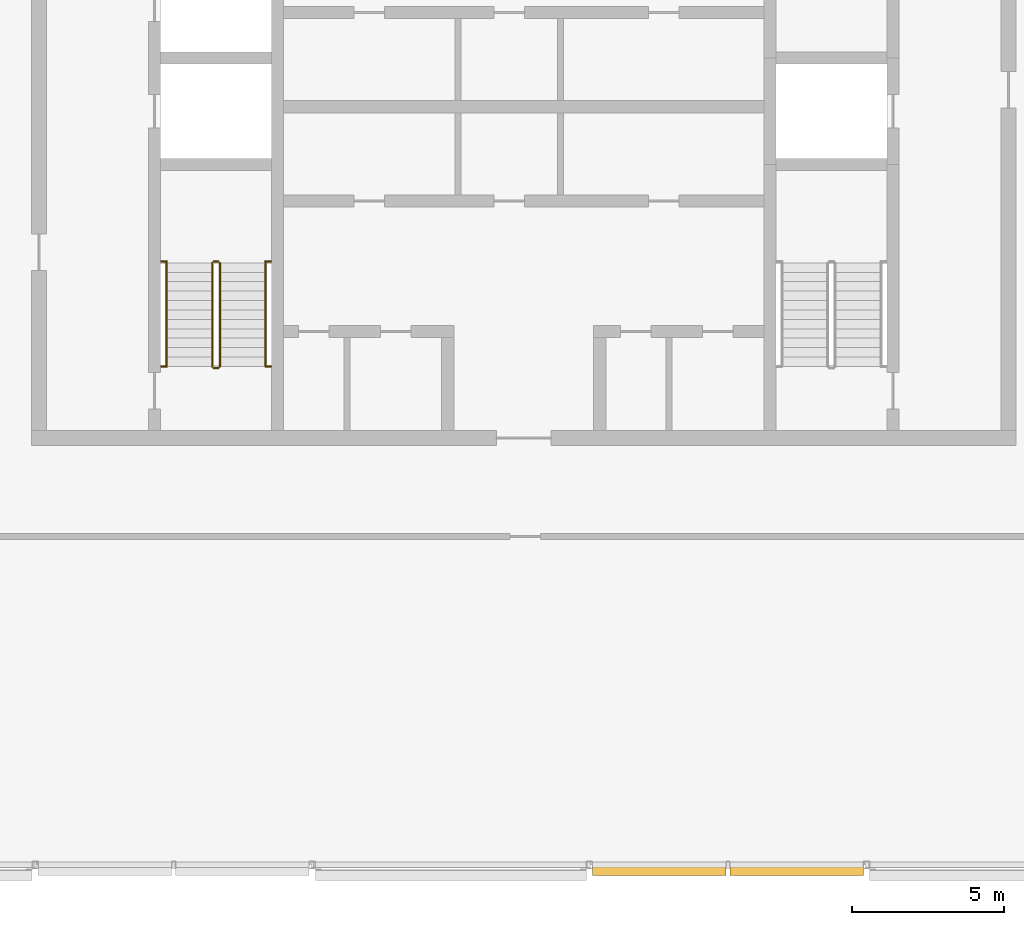
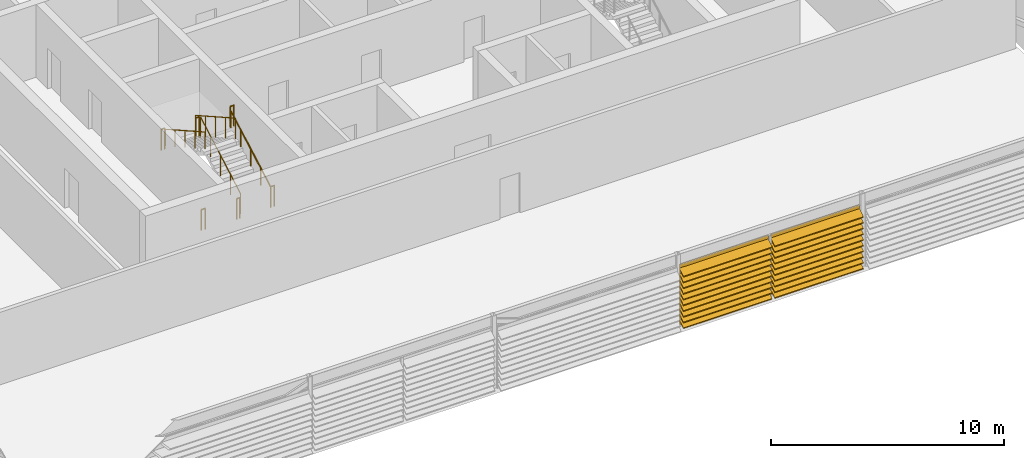
# One storey, part 25 of 28: 10 railings, 2 shading devices.
"""IFC4 building model written with IfcOpenShell, lengths in metres."""

from ifc_helpers import new_model, si_unit, direction, frame, origin, origin_2d, place, context, subcontext, project, spatial, polyline, circle, outline, extrude, material, type_object, element, save


model = new_model("IFC4")

# Units and contexts
model_context = context("Model", 3, precision=1e-05, world=origin(), true_north=direction((0.0, 1.0)))
body_context = subcontext(model_context, "Body", "Model", "MODEL_VIEW")
ifc_project = project(units=[si_unit("LENGTHUNIT", "METRE"), si_unit("AREAUNIT", "SQUARE_METRE"), si_unit("VOLUMEUNIT", "CUBIC_METRE"), si_unit("PLANEANGLEUNIT", "RADIAN"), si_unit("MASSUNIT", "GRAM", prefix="KILO")], contexts=[model_context])

# Site, building, storey
site_placement = place(None, origin())
site = spatial("IfcSite", under=ifc_project, at=site_placement, CompositionType="ELEMENT")
building_placement = place(site_placement, origin())
building = spatial("IfcBuilding", under=site, at=building_placement, Name="Madar Terraces", CompositionType="ELEMENT")
storey_placement = place(building_placement, frame((0.0, 0.0, 305.89990234375)))
storey = spatial("IfcBuildingStorey", under=building, at=storey_placement, Name="L79", CompositionType="ELEMENT", Elevation=305.89990234375)

# Shading devices
ifc_material_1 = material(Name="Aluminium, black anodised", Category="aluminium")
shading_device_type = type_object("IfcShadingDeviceType", Name="Crown louvre bank", PredefinedType="USERDEFINED", material=ifc_material_1)
shading_device_1_placement = place(storey_placement, frame((33.461669921875, 1.199951171875, 0.0), z_axis=(1.0, 0.0, 0.0), x_axis=(0.0, 1.0, 0.0)))
element("IfcShadingDevice", 1, at=shading_device_1_placement, inside=storey, type_object=shading_device_type, Name="LOUVRE bank L79 4.1", ObjectType="LOUVRE", PredefinedType="USERDEFINED", context=body_context, shape_type="SweptSolid", body=[
    extrude(outline(polyline([(0.014892578125, 0.0), (-0.014892578125, 0.0), (-0.014892578125, 0.24951171875), (-0.3427734375, 0.02001953125), (-0.3427734375, 0.06884765625), (-0.014892578125, 0.29833984375), (-0.014892578125, 0.54931640625), (-0.3427734375, 0.320068359375), (-0.3427734375, 0.368896484375), (-0.014892578125, 0.59814453125), (-0.014892578125, 0.849365234375), (-0.3427734375, 0.6201171875), (-0.3427734375, 0.6689453125), (-0.014892578125, 0.898193359375), (-0.014892578125, 1.1494140625), (-0.3427734375, 0.919921875), (-0.3427734375, 0.96875), (-0.014892578125, 1.1982421875), (-0.014892578125, 1.449462890625), (-0.3427734375, 1.219970703125), (-0.3427734375, 1.268798828125), (-0.014892578125, 1.498291015625), (-0.014892578125, 1.74951171875), (-0.3427734375, 1.52001953125), (-0.3427734375, 1.56884765625), (-0.014892578125, 1.79833984375), (-0.014892578125, 2.04931640625), (-0.3427734375, 1.820068359375), (-0.3427734375, 1.868896484375), (-0.014892578125, 2.09814453125), (-0.014892578125, 2.349365234375), (-0.3427734375, 2.1201171875), (-0.3427734375, 2.1689453125), (-0.014892578125, 2.398193359375), (-0.014892578125, 2.6494140625), (-0.3427734375, 2.419921875), (-0.3427734375, 2.46875), (-0.014892578125, 2.6982421875), (-0.014892578125, 2.949462890625), (-0.3427734375, 2.719970703125), (-0.3427734375, 2.768798828125), (-0.014892578125, 2.998291015625), (-0.014892578125, 3.197998046875), (0.014892578125, 3.197998046875), (0.014892578125, 0.0)])), origin(), (0.0, 0.0, 1.0), 4.394775390625),
])
shading_device_2_placement = place(storey_placement, frame((37.9833984375, 1.199951171875, 0.0), z_axis=(1.0, 0.0, 0.0), x_axis=(0.0, 1.0, 0.0)))
element("IfcShadingDevice", 2, at=shading_device_2_placement, inside=storey, type_object=shading_device_type, Name="LOUVRE bank L79 4.2", ObjectType="LOUVRE", PredefinedType="USERDEFINED", context=body_context, shape_type="SweptSolid", body=[
    extrude(outline(polyline([(0.014892578125, 0.0), (-0.014892578125, 0.0), (-0.014892578125, 0.24951171875), (-0.3427734375, 0.02001953125), (-0.3427734375, 0.06884765625), (-0.014892578125, 0.29833984375), (-0.014892578125, 0.54931640625), (-0.3427734375, 0.320068359375), (-0.3427734375, 0.368896484375), (-0.014892578125, 0.59814453125), (-0.014892578125, 0.849365234375), (-0.3427734375, 0.6201171875), (-0.3427734375, 0.6689453125), (-0.014892578125, 0.898193359375), (-0.014892578125, 1.1494140625), (-0.3427734375, 0.919921875), (-0.3427734375, 0.96875), (-0.014892578125, 1.1982421875), (-0.014892578125, 1.449462890625), (-0.3427734375, 1.219970703125), (-0.3427734375, 1.268798828125), (-0.014892578125, 1.498291015625), (-0.014892578125, 1.74951171875), (-0.3427734375, 1.52001953125), (-0.3427734375, 1.56884765625), (-0.014892578125, 1.79833984375), (-0.014892578125, 2.04931640625), (-0.3427734375, 1.820068359375), (-0.3427734375, 1.868896484375), (-0.014892578125, 2.09814453125), (-0.014892578125, 2.349365234375), (-0.3427734375, 2.1201171875), (-0.3427734375, 2.1689453125), (-0.014892578125, 2.398193359375), (-0.014892578125, 2.6494140625), (-0.3427734375, 2.419921875), (-0.3427734375, 2.46875), (-0.014892578125, 2.6982421875), (-0.014892578125, 2.949462890625), (-0.3427734375, 2.719970703125), (-0.3427734375, 2.768798828125), (-0.014892578125, 2.998291015625), (-0.014892578125, 3.197998046875), (0.014892578125, 3.197998046875), (0.014892578125, 0.0)])), origin(), (0.0, 0.0, 1.0), 4.39501953125),
])

# Railings
ifc_material_2 = material(Name="Stainless steel railing", Category="steel")
railing_type_1 = type_object("IfcRailingType", Name="Stair guard 1100", PredefinedType="GUARDRAIL", material=ifc_material_2)
railing_1_placement = place(storey_placement, frame((21.199951171875, 17.60009765625, 0.175048828125)))
element("IfcRailing", 3, at=railing_1_placement, inside=storey, type_object=railing_type_1, Name="L79 ST1 stair guard 1", PredefinedType="GUARDRAIL", context=body_context, shape_type="SweptSolid", body=[
    extrude(circle(Radius=0.02392578125, at=origin_2d()), frame((0.0, 0.0, 1.076171875), z_axis=(0.0, 0.87081354652, 0.491613432685), x_axis=(-1.0, 0.0, 0.0)), (0.0, 0.0, 1.0), 3.915771484375),
    extrude(circle(Radius=0.02099609375, at=origin_2d()), origin(), (0.0, 0.0, 1.0), 1.052001953125),
    extrude(circle(Radius=0.02099609375, at=origin_2d()), frame((0.0, 0.8525390625, 0.481201171875)), (0.0, 0.0, 1.0), 1.052001953125),
    extrude(circle(Radius=0.02099609375, at=origin_2d()), frame((0.0, 1.705078125, 0.96240234375)), (0.0, 0.0, 1.0), 1.052001953125),
    extrude(circle(Radius=0.02099609375, at=origin_2d()), frame((0.0, 2.557373046875, 1.44384765625)), (0.0, 0.0, 1.0), 1.052001953125),
    extrude(circle(Radius=0.02099609375, at=origin_2d()), frame((0.0, 3.409912109375, 1.925048828125)), (0.0, 0.0, 1.0), 1.052001953125),
])
railing_2_placement = place(storey_placement, frame((21.14990234375, 21.06005859375, 2.10009765625)))
element("IfcRailing", 4, at=railing_2_placement, inside=storey, type_object=railing_type_1, Name="L79 ST1 stair guard 2", PredefinedType="GUARDRAIL", context=body_context, shape_type="SweptSolid", body=[
    extrude(circle(Radius=0.02392578125, at=origin_2d()), frame((0.0, 0.0, 1.076171875), z_axis=(-1.0, 0.0, 0.0), x_axis=(0.0, -1.0, 0.0)), (0.0, 0.0, 1.0), 0.14990234375),
    extrude(circle(Radius=0.02099609375, at=origin_2d()), origin(), (0.0, 0.0, 1.0), 1.052001953125),
    extrude(circle(Radius=0.02099609375, at=origin_2d()), frame((-0.14990234375, 0.0, 0.0)), (0.0, 0.0, 1.0), 1.052001953125),
])
railing_3_placement = place(storey_placement, frame((20.949951171875, 21.010009765625, 2.275146484375)))
element("IfcRailing", 5, at=railing_3_placement, inside=storey, type_object=railing_type_1, Name="L79 ST1 stair guard 3", PredefinedType="GUARDRAIL", context=body_context, shape_type="SweptSolid", body=[
    extrude(circle(Radius=0.02392578125, at=origin_2d()), frame((0.0, 0.0, 1.076171875), z_axis=(0.0, -0.87081354652, 0.491613432685), x_axis=(1.0, 0.0, 0.0)), (0.0, 0.0, 1.0), 3.915771484375),
    extrude(circle(Radius=0.02099609375, at=origin_2d()), origin(), (0.0, 0.0, 1.0), 1.052001953125),
    extrude(circle(Radius=0.02099609375, at=origin_2d()), frame((0.0, -0.8525390625, 0.481201171875)), (0.0, 0.0, 1.0), 1.052001953125),
    extrude(circle(Radius=0.02099609375, at=origin_2d()), frame((0.0, -1.705078125, 0.96240234375)), (0.0, 0.0, 1.0), 1.052001953125),
    extrude(circle(Radius=0.02099609375, at=origin_2d()), frame((0.0, -2.557373046875, 1.44384765625)), (0.0, 0.0, 1.0), 1.052001953125),
    extrude(circle(Radius=0.02099609375, at=origin_2d()), frame((0.0, -3.409912109375, 1.925048828125)), (0.0, 0.0, 1.0), 1.052001953125),
])
railing_4_placement = place(storey_placement, frame((21.14990234375, 17.550048828125, 0.0)))
element("IfcRailing", 6, at=railing_4_placement, inside=storey, type_object=railing_type_1, Name="L79 ST1 stair guard 4", PredefinedType="GUARDRAIL", context=body_context, shape_type="SweptSolid", body=[
    extrude(circle(Radius=0.02392578125, at=origin_2d()), frame((0.0, 0.0, 1.076171875), z_axis=(-1.0, 0.0, 0.0), x_axis=(0.0, -1.0, 0.0)), (0.0, 0.0, 1.0), 0.14990234375),
    extrude(circle(Radius=0.02099609375, at=origin_2d()), origin(), (0.0, 0.0, 1.0), 1.052001953125),
    extrude(circle(Radius=0.02099609375, at=origin_2d()), frame((-0.14990234375, 0.0, 0.0)), (0.0, 0.0, 1.0), 1.052001953125),
])
for number, where, name in (
    (7, (19.27001953125, 21.06005859375, 2.10009765625), "L79 stair guard seat 1"),
    (8, (22.699951171875, 21.06005859375, 2.10009765625), "L79 stair guard seat 2"),
    (9, (19.27001953125, 17.60009765625, 0.0), "L79 stair guard floor 1"),
    (10, (22.699951171875, 17.60009765625, 0.0), "L79 stair guard floor 2"),
):
    element("IfcRailing", number, at=place(storey_placement, frame(where)), inside=storey, type_object=railing_type_1, Name=name, PredefinedType="GUARDRAIL", context=body_context, shape_type="SweptSolid", body=[
        extrude(circle(Radius=0.02392578125, at=origin_2d()), frame((0.0, 0.0, 1.076171875), z_axis=(1.0, 0.0, 0.0), x_axis=(0.0, 1.0, 0.0)), (0.0, 0.0, 1.0), 0.179931640625),
        extrude(circle(Radius=0.02099609375, at=origin_2d()), origin(), (0.0, 0.0, 1.0), 1.052001953125),
        extrude(circle(Radius=0.02099609375, at=origin_2d()), frame((0.179931640625, 0.0, 0.0)), (0.0, 0.0, 1.0), 1.052001953125),
    ])
ifc_material_3 = material(Name="Stainless steel railing", Category="steel")
railing_type_2 = type_object("IfcRailingType", Name="Stair handrail 900", PredefinedType="HANDRAIL", material=ifc_material_3)
railing_5_placement = place(storey_placement, frame((22.699951171875, 17.60009765625, 0.175048828125)))
element("IfcRailing", 11, at=railing_5_placement, inside=storey, type_object=railing_type_2, Name="L79 ST1 stair handrail 1", PredefinedType="HANDRAIL", context=body_context, shape_type="SweptSolid", body=[
    extrude(circle(Radius=0.02392578125, at=origin_2d()), frame((0.0, 0.0, 0.8759765625), z_axis=(0.0, 0.87081354652, 0.491613432685), x_axis=(-1.0, 0.0, 0.0)), (0.0, 0.0, 1.0), 3.915771484375),
    extrude(circle(Radius=0.02099609375, at=origin_2d()), origin(), (0.0, 0.0, 1.0), 0.851806640625),
    extrude(circle(Radius=0.02099609375, at=origin_2d()), frame((0.0, 0.8525390625, 0.481201171875)), (0.0, 0.0, 1.0), 0.851806640625),
    extrude(circle(Radius=0.02099609375, at=origin_2d()), frame((0.0, 1.705078125, 0.96240234375)), (0.0, 0.0, 1.0), 0.851806640625),
    extrude(circle(Radius=0.02099609375, at=origin_2d()), frame((0.0, 2.557373046875, 1.44384765625)), (0.0, 0.0, 1.0), 0.851806640625),
    extrude(circle(Radius=0.02099609375, at=origin_2d()), frame((0.0, 3.409912109375, 1.925048828125)), (0.0, 0.0, 1.0), 0.851806640625),
])
railing_6_placement = place(storey_placement, frame((19.449951171875, 21.010009765625, 2.275146484375)))
element("IfcRailing", 12, at=railing_6_placement, inside=storey, type_object=railing_type_2, Name="L79 ST1 stair handrail 2", PredefinedType="HANDRAIL", context=body_context, shape_type="SweptSolid", body=[
    extrude(circle(Radius=0.02392578125, at=origin_2d()), frame((0.0, 0.0, 0.8759765625), z_axis=(0.0, -0.87081354652, 0.491613432685), x_axis=(1.0, 0.0, 0.0)), (0.0, 0.0, 1.0), 3.915771484375),
    extrude(circle(Radius=0.02099609375, at=origin_2d()), origin(), (0.0, 0.0, 1.0), 0.851806640625),
    extrude(circle(Radius=0.02099609375, at=origin_2d()), frame((0.0, -0.8525390625, 0.481201171875)), (0.0, 0.0, 1.0), 0.851806640625),
    extrude(circle(Radius=0.02099609375, at=origin_2d()), frame((0.0, -1.705078125, 0.96240234375)), (0.0, 0.0, 1.0), 0.851806640625),
    extrude(circle(Radius=0.02099609375, at=origin_2d()), frame((0.0, -2.557373046875, 1.44384765625)), (0.0, 0.0, 1.0), 0.851806640625),
    extrude(circle(Radius=0.02099609375, at=origin_2d()), frame((0.0, -3.409912109375, 1.925048828125)), (0.0, 0.0, 1.0), 0.851806640625),
])

save(model, "model.ifc")
